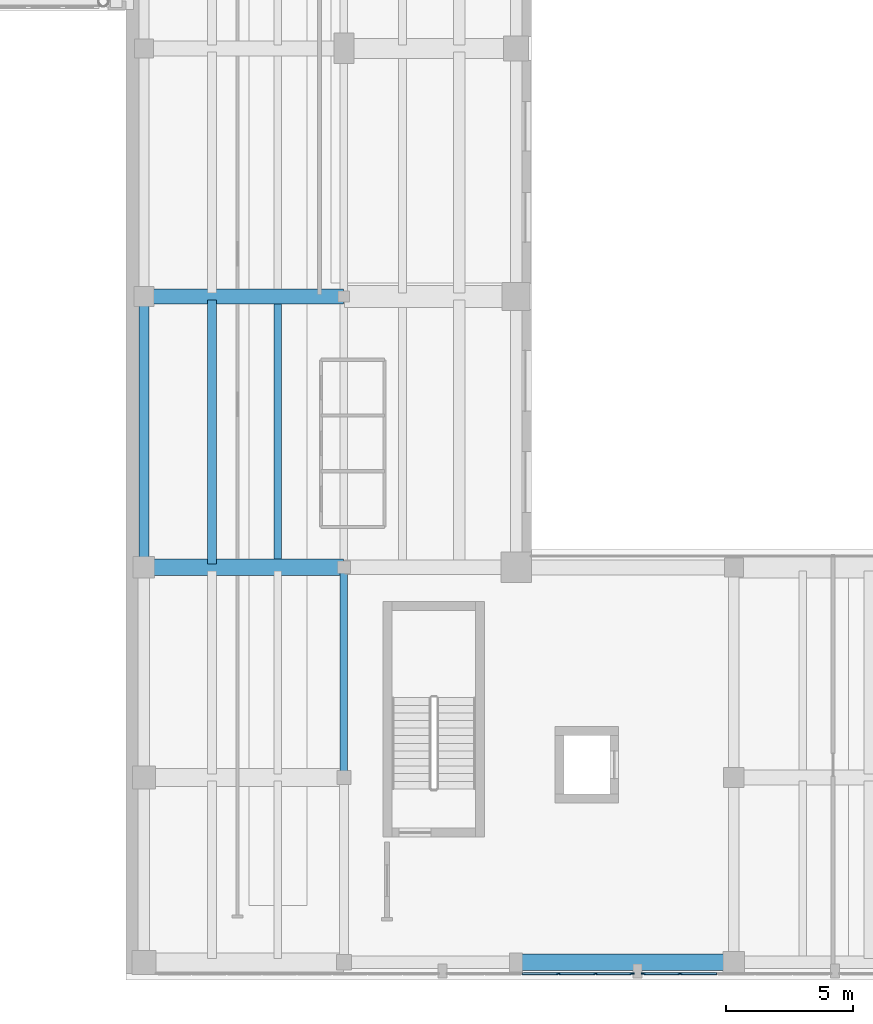
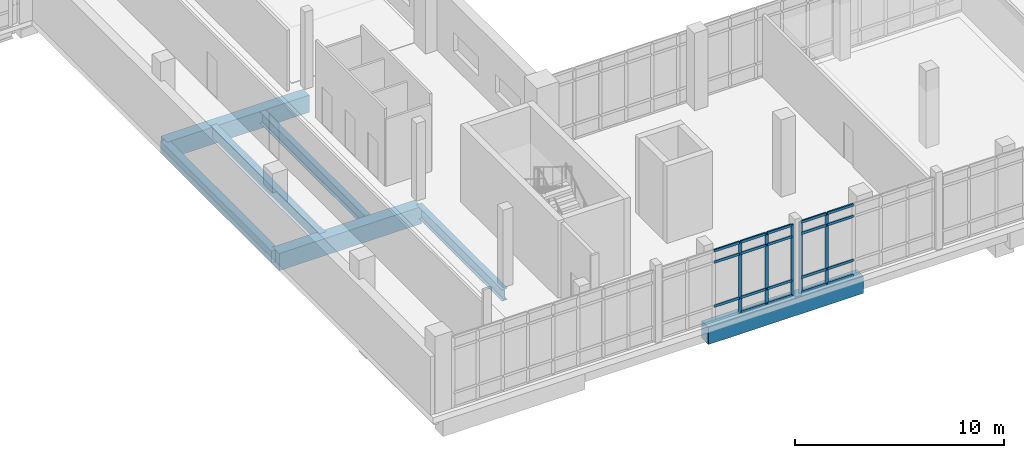
# One storey, part 17 of 89: 24 members, 7 beams, 2 elements without a shape of their own.
"""IFC4 building model written with IfcOpenShell, lengths in metres."""

from ifc_helpers import new_model, si_unit, direction, frame, origin, origin_2d, place, context, subcontext, project, spatial, rectangle, i_section, extrude, material, material_profile, profile_set, type_object, element, aggregate, save


model = new_model("IFC4")

# Units and contexts
model_context = context("Model", 3, precision=1e-05, world=origin(), true_north=direction((0.0, 1.0)))
body_context = subcontext(model_context, "Body", "Model", "MODEL_VIEW")
ifc_project = project(units=[si_unit("LENGTHUNIT", "METRE"), si_unit("AREAUNIT", "SQUARE_METRE"), si_unit("VOLUMEUNIT", "CUBIC_METRE"), si_unit("PLANEANGLEUNIT", "RADIAN"), si_unit("MASSUNIT", "GRAM", prefix="KILO")], contexts=[model_context])

# Site, building, storey
site_placement = place(None, origin())
site = spatial("IfcSite", under=ifc_project, at=site_placement, CompositionType="ELEMENT")
building_placement = place(site_placement, origin())
building = spatial("IfcBuilding", under=site, at=building_placement, Name="Soyqirgoq Riverine Aquarium", CompositionType="ELEMENT")
storey_placement = place(building_placement, frame((0.0, 0.0, 5.39990234375)))
storey = spatial("IfcBuildingStorey", under=building, at=storey_placement, Name="L02", CompositionType="ELEMENT", Elevation=5.39990234375)

# Beams
ifc_material_1 = material(Name="Concrete C40/50", Category="concrete")
ifc_material_profile_1 = material_profile(ifc_material_1, rectangle(XDim=0.35009765625, YDim=0.60009765625, at=origin_2d()), Name="RC 350x600")
ifc_profile_set_1 = profile_set([ifc_material_profile_1], Name="Concrete C40/50")
beam_type_1 = type_object("IfcBeamType", Name="Beam_RC_350x600", PredefinedType="JOIST", material=ifc_profile_set_1)
beam_1_placement = place(storey_placement, frame((117.385986328125, 17.93994140625, -0.64990234375), z_axis=(0.0, 1.0, 0.0), x_axis=(-1.0, 0.0, 0.0)))
element("IfcBeam", 1, at=beam_1_placement, inside=storey, type_object=beam_type_1, Name="V6 L02 Secondary Bay Joist 1142", PredefinedType="JOIST", context=body_context, shape_type="SweptSolid", body=[
    extrude(rectangle(XDim=0.35009765625, YDim=0.60009765625, at=origin_2d()), origin(), (0.0, 0.0, 1.0), 10.420166015625),
])
ifc_material_2 = material(Name="Concrete C40/50", Category="concrete")
ifc_material_profile_2 = material_profile(ifc_material_2, rectangle(XDim=0.39990234375, YDim=0.699951171875, at=origin_2d()), Name="RC 400x700")
ifc_profile_set_2 = profile_set([ifc_material_profile_2], Name="Concrete C40/50")
beam_type_2 = type_object("IfcBeamType", Name="Beam_RC_400x700", PredefinedType="BEAM", material=ifc_profile_set_2)
beam_2_placement = place(storey_placement, frame((114.699951171875, 17.85009765625, -0.699951171875), z_axis=(0.0, 1.0, 0.0), x_axis=(-1.0, 0.0, 0.0)))
element("IfcBeam", 2, at=beam_2_placement, inside=storey, type_object=beam_type_2, Name="V6 L02 North-South Frame Beam 1086", PredefinedType="BEAM", context=body_context, shape_type="SweptSolid", body=[
    extrude(rectangle(XDim=0.39990234375, YDim=0.699951171875, at=origin_2d()), origin(), (0.0, 0.0, 1.0), 10.599853515625),
])

# Curtain wall, members
ifc_material_3 = material(Name="Anodised aluminium thermally broken gallery curtain wall", Category="aluminium")
curtain_wall_type = type_object("IfcCurtainWallType", Name="CW_Pavilion_Ribbon", PredefinedType="NOTDEFINED", material=ifc_material_3)
curtain_wall_1_placement = place(storey_placement, origin())
curtain_wall_1 = element("IfcCurtainWall", 3, at=curtain_wall_1_placement, inside=storey, type_object=curtain_wall_type, Name="V6 L02 Curtain Wall 115", PredefinedType="NOTDEFINED")
ifc_material_4 = material(Name="Anodised aluminium 6063-T6", Category="aluminium")
ifc_material_profile_3 = material_profile(ifc_material_4, rectangle(XDim=0.06494140625, YDim=0.179931640625, at=origin_2d()), Name="ALU-M 65x180")
ifc_profile_set_3 = profile_set([ifc_material_profile_3], Name="Anodised aluminium 6063-T6")
member_type_1 = type_object("IfcMemberType", Name="CWMullion_65x180", PredefinedType="MULLION", material=ifc_profile_set_3)
member_1_placement = place(storey_placement, frame((135.876953125, 1.75, 0.0), z_axis=(0.0, 0.0, 1.0), x_axis=(0.0, -1.0, 0.0)))
member_1 = element("IfcMember", 4, at=member_1_placement, type_object=member_type_1, Name="CW-05 mullion 5", PredefinedType="MULLION", context=body_context, shape_type="SweptSolid", body=[
    extrude(rectangle(XDim=0.06494140625, YDim=0.179931640625, at=origin_2d()), origin(), (0.0, 0.0, 1.0), 4.170166015625),
])
member_2_placement = place(storey_placement, frame((134.427490234375, 1.75, 0.0), z_axis=(0.0, 0.0, 1.0), x_axis=(0.0, -1.0, 0.0)))
member_2 = element("IfcMember", 5, at=member_2_placement, type_object=member_type_1, Name="CW-05 mullion 6", PredefinedType="MULLION", context=body_context, shape_type="SweptSolid", body=[
    extrude(rectangle(XDim=0.06494140625, YDim=0.179931640625, at=origin_2d()), origin(), (0.0, 0.0, 1.0), 4.170166015625),
])

curtain_wall_2_placement = place(storey_placement, origin())
curtain_wall_2 = element("IfcCurtainWall", 6, at=curtain_wall_2_placement, inside=storey, type_object=curtain_wall_type, Name="V6 L02 Curtain Wall 116", PredefinedType="NOTDEFINED")
member_3_placement = place(storey_placement, frame((133.972412109375, 1.75, 0.0), z_axis=(0.0, 0.0, 1.0), x_axis=(0.0, -1.0, 0.0)))
member_3 = element("IfcMember", 7, at=member_3_placement, type_object=member_type_1, Name="CW-05 mullion 1", PredefinedType="MULLION", context=body_context, shape_type="SweptSolid", body=[
    extrude(rectangle(XDim=0.06494140625, YDim=0.179931640625, at=origin_2d()), origin(), (0.0, 0.0, 1.0), 4.170166015625),
])
member_4_placement = place(storey_placement, frame((132.54296875, 1.75, 0.0), z_axis=(0.0, 0.0, 1.0), x_axis=(0.0, -1.0, 0.0)))
member_4 = element("IfcMember", 8, at=member_4_placement, type_object=member_type_1, Name="CW-05 mullion 2", PredefinedType="MULLION", context=body_context, shape_type="SweptSolid", body=[
    extrude(rectangle(XDim=0.06494140625, YDim=0.179931640625, at=origin_2d()), origin(), (0.0, 0.0, 1.0), 4.170166015625),
])
member_5_placement = place(storey_placement, frame((131.0810546875, 1.75, 0.0), z_axis=(0.0, 0.0, 1.0), x_axis=(0.0, -1.0, 0.0)))
member_5 = element("IfcMember", 9, at=member_5_placement, type_object=member_type_1, Name="CW-05 mullion 3", PredefinedType="MULLION", context=body_context, shape_type="SweptSolid", body=[
    extrude(rectangle(XDim=0.06494140625, YDim=0.179931640625, at=origin_2d()), origin(), (0.0, 0.0, 1.0), 4.170166015625),
])

# Member
ifc_material_5 = material(Name="Anodised aluminium 6063-T6", Category="aluminium")
ifc_material_profile_4 = material_profile(ifc_material_5, rectangle(XDim=0.074951171875, YDim=0.14990234375, at=origin_2d()), Name="ALU-T 75x150")
ifc_profile_set_4 = profile_set([ifc_material_profile_4], Name="Anodised aluminium 6063-T6")
member_type_2 = type_object("IfcMemberType", Name="CWTransom_75x150", PredefinedType="USERDEFINED", material=ifc_profile_set_4)
member_6_placement = place(storey_placement, frame((137.326416015625, 1.75, 0.03759765625), z_axis=(-1.0, 0.0, 0.0), x_axis=(0.0, -1.0, 0.0)))
member_6 = element("IfcMember", 10, at=member_6_placement, type_object=member_type_2, Name="CW-05 transom 4.1", ObjectType="TRANSOM", PredefinedType="USERDEFINED", context=body_context, shape_type="SweptSolid", body=[
    extrude(rectangle(XDim=0.074951171875, YDim=0.14990234375, at=origin_2d()), origin(), (0.0, 0.0, 1.0), 1.4169921875),
])

member_7_placement = place(storey_placement, frame((137.326416015625, 1.75, 0.900146484375), z_axis=(-1.0, 0.0, 0.0), x_axis=(0.0, -1.0, 0.0)))
member_7 = element("IfcMember", 11, at=member_7_placement, type_object=member_type_2, Name="CW-05 transom 4.2", ObjectType="TRANSOM", PredefinedType="USERDEFINED", context=body_context, shape_type="SweptSolid", body=[
    extrude(rectangle(XDim=0.074951171875, YDim=0.14990234375, at=origin_2d()), origin(), (0.0, 0.0, 1.0), 1.4169921875),
])

member_8_placement = place(storey_placement, frame((137.326416015625, 1.75, 3.47021484375), z_axis=(-1.0, 0.0, 0.0), x_axis=(0.0, -1.0, 0.0)))
member_8 = element("IfcMember", 12, at=member_8_placement, type_object=member_type_2, Name="CW-05 transom 4.3", ObjectType="TRANSOM", PredefinedType="USERDEFINED", context=body_context, shape_type="SweptSolid", body=[
    extrude(rectangle(XDim=0.074951171875, YDim=0.14990234375, at=origin_2d()), origin(), (0.0, 0.0, 1.0), 1.4169921875),
])

member_9_placement = place(storey_placement, frame((137.326416015625, 1.75, 4.132568359375), z_axis=(-1.0, 0.0, 0.0), x_axis=(0.0, -1.0, 0.0)))
member_9 = element("IfcMember", 13, at=member_9_placement, type_object=member_type_2, Name="CW-05 transom 4.4", ObjectType="TRANSOM", PredefinedType="USERDEFINED", context=body_context, shape_type="SweptSolid", body=[
    extrude(rectangle(XDim=0.074951171875, YDim=0.14990234375, at=origin_2d()), origin(), (0.0, 0.0, 1.0), 1.4169921875),
])

member_10_placement = place(storey_placement, frame((135.844482421875, 1.75, 0.03759765625), z_axis=(-1.0, 0.0, 0.0), x_axis=(0.0, -1.0, 0.0)))
member_10 = element("IfcMember", 14, at=member_10_placement, type_object=member_type_2, Name="CW-05 transom 5.1", ObjectType="TRANSOM", PredefinedType="USERDEFINED", context=body_context, shape_type="SweptSolid", body=[
    extrude(rectangle(XDim=0.074951171875, YDim=0.14990234375, at=origin_2d()), origin(), (0.0, 0.0, 1.0), 1.384521484375),
])

member_11_placement = place(storey_placement, frame((135.844482421875, 1.75, 0.900146484375), z_axis=(-1.0, 0.0, 0.0), x_axis=(0.0, -1.0, 0.0)))
member_11 = element("IfcMember", 15, at=member_11_placement, type_object=member_type_2, Name="CW-05 transom 5.2", ObjectType="TRANSOM", PredefinedType="USERDEFINED", context=body_context, shape_type="SweptSolid", body=[
    extrude(rectangle(XDim=0.074951171875, YDim=0.14990234375, at=origin_2d()), origin(), (0.0, 0.0, 1.0), 1.384521484375),
])

member_12_placement = place(storey_placement, frame((135.844482421875, 1.75, 3.47021484375), z_axis=(-1.0, 0.0, 0.0), x_axis=(0.0, -1.0, 0.0)))
member_12 = element("IfcMember", 16, at=member_12_placement, type_object=member_type_2, Name="CW-05 transom 5.3", ObjectType="TRANSOM", PredefinedType="USERDEFINED", context=body_context, shape_type="SweptSolid", body=[
    extrude(rectangle(XDim=0.074951171875, YDim=0.14990234375, at=origin_2d()), origin(), (0.0, 0.0, 1.0), 1.384521484375),
])

member_13_placement = place(storey_placement, frame((135.844482421875, 1.75, 4.132568359375), z_axis=(-1.0, 0.0, 0.0), x_axis=(0.0, -1.0, 0.0)))
member_13 = element("IfcMember", 17, at=member_13_placement, type_object=member_type_2, Name="CW-05 transom 5.4", ObjectType="TRANSOM", PredefinedType="USERDEFINED", context=body_context, shape_type="SweptSolid", body=[
    extrude(rectangle(XDim=0.074951171875, YDim=0.14990234375, at=origin_2d()), origin(), (0.0, 0.0, 1.0), 1.384521484375),
])

aggregate(curtain_wall_1, [member_1, member_2, member_6, member_7, member_8, member_9, member_10, member_11, member_12, member_13])

member_14_placement = place(storey_placement, frame((133.93994140625, 1.75, 0.03759765625), z_axis=(-1.0, 0.0, 0.0), x_axis=(0.0, -1.0, 0.0)))
member_14 = element("IfcMember", 18, at=member_14_placement, type_object=member_type_2, Name="CW-05 transom 1.1", ObjectType="TRANSOM", PredefinedType="USERDEFINED", context=body_context, shape_type="SweptSolid", body=[
    extrude(rectangle(XDim=0.074951171875, YDim=0.14990234375, at=origin_2d()), origin(), (0.0, 0.0, 1.0), 1.364501953125),
])

member_15_placement = place(storey_placement, frame((133.93994140625, 1.75, 0.900146484375), z_axis=(-1.0, 0.0, 0.0), x_axis=(0.0, -1.0, 0.0)))
member_15 = element("IfcMember", 19, at=member_15_placement, type_object=member_type_2, Name="CW-05 transom 1.2", ObjectType="TRANSOM", PredefinedType="USERDEFINED", context=body_context, shape_type="SweptSolid", body=[
    extrude(rectangle(XDim=0.074951171875, YDim=0.14990234375, at=origin_2d()), origin(), (0.0, 0.0, 1.0), 1.364501953125),
])

member_16_placement = place(storey_placement, frame((133.93994140625, 1.75, 3.47021484375), z_axis=(-1.0, 0.0, 0.0), x_axis=(0.0, -1.0, 0.0)))
member_16 = element("IfcMember", 20, at=member_16_placement, type_object=member_type_2, Name="CW-05 transom 1.3", ObjectType="TRANSOM", PredefinedType="USERDEFINED", context=body_context, shape_type="SweptSolid", body=[
    extrude(rectangle(XDim=0.074951171875, YDim=0.14990234375, at=origin_2d()), origin(), (0.0, 0.0, 1.0), 1.364501953125),
])

member_17_placement = place(storey_placement, frame((133.93994140625, 1.75, 4.132568359375), z_axis=(-1.0, 0.0, 0.0), x_axis=(0.0, -1.0, 0.0)))
member_17 = element("IfcMember", 21, at=member_17_placement, type_object=member_type_2, Name="CW-05 transom 1.4", ObjectType="TRANSOM", PredefinedType="USERDEFINED", context=body_context, shape_type="SweptSolid", body=[
    extrude(rectangle(XDim=0.074951171875, YDim=0.14990234375, at=origin_2d()), origin(), (0.0, 0.0, 1.0), 1.364501953125),
])

member_18_placement = place(storey_placement, frame((132.510498046875, 1.75, 0.03759765625), z_axis=(-1.0, 0.0, 0.0), x_axis=(0.0, -1.0, 0.0)))
member_18 = element("IfcMember", 22, at=member_18_placement, type_object=member_type_2, Name="CW-05 transom 2.1", ObjectType="TRANSOM", PredefinedType="USERDEFINED", context=body_context, shape_type="SweptSolid", body=[
    extrude(rectangle(XDim=0.074951171875, YDim=0.14990234375, at=origin_2d()), origin(), (0.0, 0.0, 1.0), 1.39697265625),
])

member_19_placement = place(storey_placement, frame((132.510498046875, 1.75, 0.900146484375), z_axis=(-1.0, 0.0, 0.0), x_axis=(0.0, -1.0, 0.0)))
member_19 = element("IfcMember", 23, at=member_19_placement, type_object=member_type_2, Name="CW-05 transom 2.2", ObjectType="TRANSOM", PredefinedType="USERDEFINED", context=body_context, shape_type="SweptSolid", body=[
    extrude(rectangle(XDim=0.074951171875, YDim=0.14990234375, at=origin_2d()), origin(), (0.0, 0.0, 1.0), 1.39697265625),
])

member_20_placement = place(storey_placement, frame((132.510498046875, 1.75, 3.47021484375), z_axis=(-1.0, 0.0, 0.0), x_axis=(0.0, -1.0, 0.0)))
member_20 = element("IfcMember", 24, at=member_20_placement, type_object=member_type_2, Name="CW-05 transom 2.3", ObjectType="TRANSOM", PredefinedType="USERDEFINED", context=body_context, shape_type="SweptSolid", body=[
    extrude(rectangle(XDim=0.074951171875, YDim=0.14990234375, at=origin_2d()), origin(), (0.0, 0.0, 1.0), 1.39697265625),
])

member_21_placement = place(storey_placement, frame((132.510498046875, 1.75, 4.132568359375), z_axis=(-1.0, 0.0, 0.0), x_axis=(0.0, -1.0, 0.0)))
member_21 = element("IfcMember", 25, at=member_21_placement, type_object=member_type_2, Name="CW-05 transom 2.4", ObjectType="TRANSOM", PredefinedType="USERDEFINED", context=body_context, shape_type="SweptSolid", body=[
    extrude(rectangle(XDim=0.074951171875, YDim=0.14990234375, at=origin_2d()), origin(), (0.0, 0.0, 1.0), 1.39697265625),
])

member_22_placement = place(storey_placement, frame((131.048583984375, 1.75, 0.900146484375), z_axis=(-1.0, 0.0, 0.0), x_axis=(0.0, -1.0, 0.0)))
member_22 = element("IfcMember", 26, at=member_22_placement, type_object=member_type_2, Name="CW-05 transom 3.2", ObjectType="TRANSOM", PredefinedType="USERDEFINED", context=body_context, shape_type="SweptSolid", body=[
    extrude(rectangle(XDim=0.074951171875, YDim=0.14990234375, at=origin_2d()), origin(), (0.0, 0.0, 1.0), 1.39697265625),
])

member_23_placement = place(storey_placement, frame((131.048583984375, 1.75, 3.47021484375), z_axis=(-1.0, 0.0, 0.0), x_axis=(0.0, -1.0, 0.0)))
member_23 = element("IfcMember", 27, at=member_23_placement, type_object=member_type_2, Name="CW-05 transom 3.3", ObjectType="TRANSOM", PredefinedType="USERDEFINED", context=body_context, shape_type="SweptSolid", body=[
    extrude(rectangle(XDim=0.074951171875, YDim=0.14990234375, at=origin_2d()), origin(), (0.0, 0.0, 1.0), 1.39697265625),
])

member_24_placement = place(storey_placement, frame((131.048583984375, 1.75, 4.132568359375), z_axis=(-1.0, 0.0, 0.0), x_axis=(0.0, -1.0, 0.0)))
member_24 = element("IfcMember", 28, at=member_24_placement, type_object=member_type_2, Name="CW-05 transom 3.4", ObjectType="TRANSOM", PredefinedType="USERDEFINED", context=body_context, shape_type="SweptSolid", body=[
    extrude(rectangle(XDim=0.074951171875, YDim=0.14990234375, at=origin_2d()), origin(), (0.0, 0.0, 1.0), 1.39697265625),
])

aggregate(curtain_wall_2, [member_3, member_4, member_5, member_14, member_15, member_16, member_17, member_18, member_19, member_20, member_21, member_22, member_23, member_24])

# Beams
ifc_material_6 = material(Name="Concrete C40/50", Category="concrete")
ifc_material_profile_5 = material_profile(ifc_material_6, rectangle(XDim=0.60009765625, YDim=1.0, at=origin_2d()), Name="RC 600x1000")
ifc_profile_set_5 = profile_set([ifc_material_profile_5], Name="Concrete C40/50")
beam_type_3 = type_object("IfcBeamType", Name="Girder_RC_600x1000", PredefinedType="BEAM", material=ifc_profile_set_5)
beam_3_placement = place(storey_placement, frame((114.719970703125, 28.5, -0.849853515625), z_axis=(1.0, 0.0, 0.0), x_axis=(0.0, 1.0, 0.0)))
element("IfcBeam", 29, at=beam_3_placement, inside=storey, type_object=beam_type_3, Name="V6 L02 East-West Frame Girder 1089", PredefinedType="BEAM", context=body_context, shape_type="SweptSolid", body=[
    extrude(rectangle(XDim=0.60009765625, YDim=1.0, at=origin_2d()), origin(), (0.0, 0.0, 1.0), 7.860107421875),
])
ifc_material_7 = material(Name="Concrete C40/50", Category="concrete")
ifc_material_profile_6 = material_profile(ifc_material_7, rectangle(XDim=0.64990234375, YDim=1.0, at=origin_2d()), Name="RC 650x1000")
ifc_profile_set_6 = profile_set([ifc_material_profile_6], Name="Concrete C40/50")
beam_type_4 = type_object("IfcBeamType", Name="Girder_RC_650x1000", PredefinedType="BEAM", material=ifc_profile_set_6)
beam_4_placement = place(storey_placement, frame((114.719970703125, 17.800048828125, -0.849853515625), z_axis=(1.0, 0.0, 0.0), x_axis=(0.0, 1.0, 0.0)))
element("IfcBeam", 30, at=beam_4_placement, inside=storey, type_object=beam_type_4, Name="V6 L02 East-West Frame Girder 1087", PredefinedType="BEAM", context=body_context, shape_type="SweptSolid", body=[
    extrude(rectangle(XDim=0.64990234375, YDim=1.0, at=origin_2d()), origin(), (0.0, 0.0, 1.0), 7.860107421875),
])
beam_5_placement = place(storey_placement, frame((129.419921875, 2.199951171875, -0.849853515625), z_axis=(1.0, 0.0, 0.0), x_axis=(0.0, 1.0, 0.0)))
element("IfcBeam", 31, at=beam_5_placement, inside=storey, type_object=beam_type_4, Name="V6 L02 East-West Frame Girder 1107", PredefinedType="BEAM", context=body_context, shape_type="SweptSolid", body=[
    extrude(rectangle(XDim=0.64990234375, YDim=1.0, at=origin_2d()), origin(), (0.0, 0.0, 1.0), 8.56005859375),
])
ifc_material_8 = material(Name="Structural steel S355", Category="steel")
ifc_material_profile_7 = material_profile(ifc_material_8, i_section(OverallWidth=0.300048828125, OverallDepth=0.68994140625, WebThickness=0.014404296875, FlangeThickness=0.027099609375, FilletRadius=0.027099609375, at=origin_2d()), Name="HEA 700")
ifc_profile_set_7 = profile_set([ifc_material_profile_7], Name="Structural steel S355")
beam_type_5 = type_object("IfcBeamType", Name="SteelBeam_HEA700", PredefinedType="BEAM", material=ifc_profile_set_7)
beam_6_placement = place(storey_placement, frame((122.60009765625, 9.550048828125, -0.69482421875), z_axis=(0.0, 1.0, 0.0), x_axis=(-1.0, 0.0, 0.0)))
element("IfcBeam", 32, at=beam_6_placement, inside=storey, type_object=beam_type_5, Name="V6 L02 North-South Frame Beam 1097", PredefinedType="BEAM", context=body_context, shape_type="SweptSolid", body=[
    extrude(i_section(OverallWidth=0.300048828125, OverallDepth=0.68994140625, WebThickness=0.014404296875, FlangeThickness=0.027099609375, FilletRadius=0.027099609375, at=origin_2d()), origin(), (0.0, 0.0, 1.0), 8.199951171875),
])
beam_7_placement = place(storey_placement, frame((119.992919921875, 17.93994140625, -0.69482421875), z_axis=(0.0, 1.0, 0.0), x_axis=(-1.0, 0.0, 0.0)))
element("IfcBeam", 33, at=beam_7_placement, inside=storey, type_object=beam_type_5, Name="V6 L02 Secondary Bay Joist 1143", PredefinedType="BEAM", context=body_context, shape_type="SweptSolid", body=[
    extrude(i_section(OverallWidth=0.300048828125, OverallDepth=0.68994140625, WebThickness=0.014404296875, FlangeThickness=0.027099609375, FilletRadius=0.027099609375, at=origin_2d()), origin(), (0.0, 0.0, 1.0), 10.420166015625),
])

save(model, "model.ifc")
